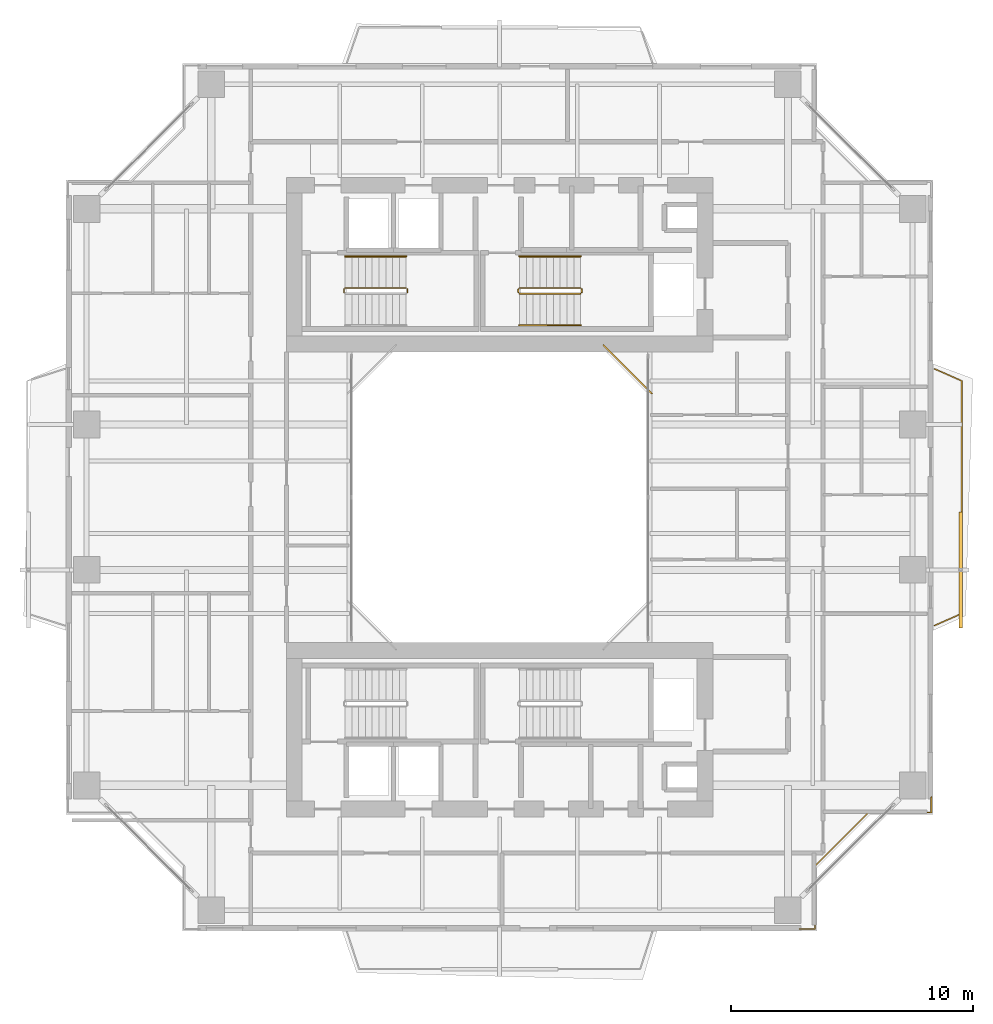
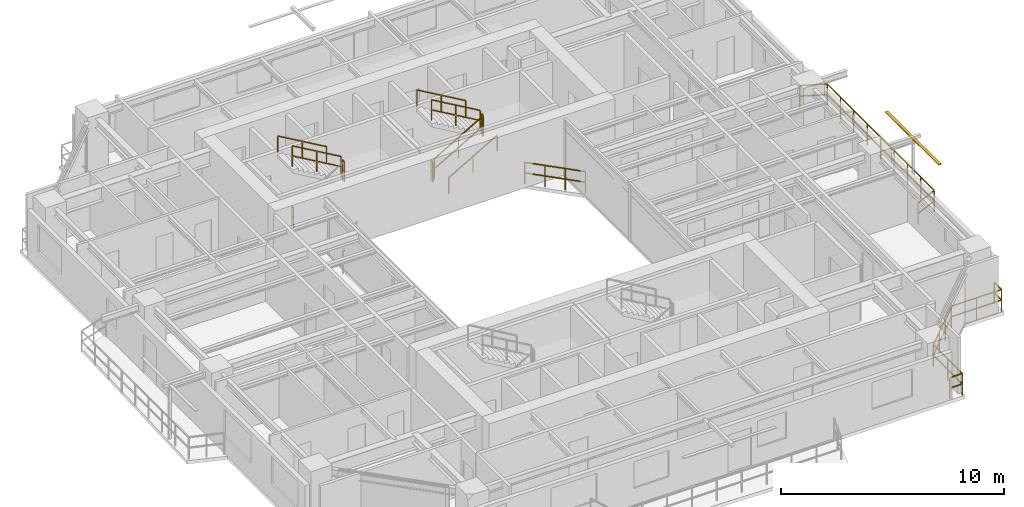
# One storey, part 16 of 17: 13 railings, 1 shading device.
"""IFC4 building model written with IfcOpenShell, lengths in metres."""

from ifc_helpers import new_model, si_unit, direction, frame, origin, origin_2d, place, context, subcontext, project, spatial, rectangle, extrude, source, transform, mapped, material, material_profile, profile_set, type_object, element, save


model = new_model("IFC4")

# Units and contexts
model_context = context("Model", 3, precision=1e-05, world=origin(), true_north=direction((0.0, 1.0)))
body_context = subcontext(model_context, "Body", "Model", "MODEL_VIEW")
ifc_project = project(units=[si_unit("LENGTHUNIT", "METRE"), si_unit("AREAUNIT", "SQUARE_METRE"), si_unit("VOLUMEUNIT", "CUBIC_METRE"), si_unit("PLANEANGLEUNIT", "RADIAN"), si_unit("MASSUNIT", "GRAM", prefix="KILO"), si_unit("THERMODYNAMICTEMPERATUREUNIT", "KELVIN"), si_unit("POWERUNIT", "WATT")], contexts=[model_context])

# Site, building, storey
site_placement = place(None, origin())
site = spatial("IfcSite", under=ifc_project, at=site_placement, CompositionType="ELEMENT")
building_placement = place(site_placement, origin())
building = spatial("IfcBuilding", under=site, at=building_placement, Name="Qiaomeng Ring Towers", CompositionType="ELEMENT")
storey_placement = place(building_placement, frame((0.0, 0.0, 129.5)))
storey = spatial("IfcBuildingStorey", under=building, at=storey_placement, Name="L37", CompositionType="ELEMENT", Elevation=129.5)

# Railings
ifc_material_1 = material(Name="Low-E pale-green laminated safety glass", Category="glass")
railing_type_1 = type_object("IfcRailingType", Name="ARC-RL-BAL1", PredefinedType="BALUSTRADE", material=ifc_material_1)
railing_1_placement = place(storey_placement, frame((25.280029296875, 27.280029296875, 0.0)))
element("IfcRailing", 1, at=railing_1_placement, inside=storey, type_object=railing_type_1, Name="L37 Balustrade ARC-BAL-WELL1-L37-2", PredefinedType="BALUSTRADE", context=body_context, shape_type="SweptSolid", body=[
    extrude(rectangle(XDim=0.048095703125, YDim=0.048095703125, at=origin_2d()), frame((0.0, 0.0, 1.17578125), z_axis=(-0.707106781187, 0.707106781187, 0.0), x_axis=(-0.707106781187, -0.707106781187, 0.0)), (0.0, 0.0, 1.0), 2.828369140625),
    extrude(rectangle(XDim=0.048095703125, YDim=0.048095703125, at=origin_2d()), frame((0.0, 0.0, 0.60009765625), z_axis=(-0.707106781187, 0.707106781187, 0.0), x_axis=(-0.707106781187, -0.707106781187, 0.0)), (0.0, 0.0, 1.0), 2.828369140625),
    extrude(rectangle(XDim=0.0419921875, YDim=0.0419921875, at=origin_2d()), origin(), (0.0, 0.0, 1.0), 1.15185546875),
    extrude(rectangle(XDim=0.0419921875, YDim=0.0419921875, at=origin_2d()), frame((-0.666748046875, 0.666748046875, 0.0)), (0.0, 0.0, 1.0), 1.15185546875),
    extrude(rectangle(XDim=0.0419921875, YDim=0.0419921875, at=origin_2d()), frame((-1.333251953125, 1.333251953125, 0.0)), (0.0, 0.0, 1.0), 1.15185546875),
    extrude(rectangle(XDim=0.0419921875, YDim=0.0419921875, at=origin_2d()), frame((-2.0, 2.0, 0.0)), (0.0, 0.0, 1.0), 1.15185546875),
])
railing_2_placement = place(storey_placement, frame((31.3701171875, 5.179931640625, 0.0)))
element("IfcRailing", 2, at=railing_2_placement, inside=storey, type_object=railing_type_1, Name="L37 Balustrade ARC-BAL-NOTCH1-L37-SE", PredefinedType="BALUSTRADE", context=body_context, shape_type="SweptSolid", body=[
    extrude(rectangle(XDim=0.048095703125, YDim=0.048095703125, at=origin_2d()), frame((0.0, 0.0, 1.17578125), z_axis=(1.0, 0.0, 0.0), x_axis=(0.0, 1.0, 0.0)), (0.0, 0.0, 1.0), 0.64990234375),
    extrude(rectangle(XDim=0.048095703125, YDim=0.048095703125, at=origin_2d()), frame((0.0, 0.0, 0.60009765625), z_axis=(1.0, 0.0, 0.0), x_axis=(0.0, 1.0, 0.0)), (0.0, 0.0, 1.0), 0.64990234375),
    extrude(rectangle(XDim=0.048095703125, YDim=0.048095703125, at=origin_2d()), frame((0.64990234375, 0.0, 1.17578125), z_axis=(0.0, 1.0, 0.0), x_axis=(-1.0, 0.0, 0.0)), (0.0, 0.0, 1.0), 2.60009765625),
    extrude(rectangle(XDim=0.048095703125, YDim=0.048095703125, at=origin_2d()), frame((0.64990234375, 0.0, 0.60009765625), z_axis=(0.0, 1.0, 0.0), x_axis=(-1.0, 0.0, 0.0)), (0.0, 0.0, 1.0), 2.60009765625),
    extrude(rectangle(XDim=0.048095703125, YDim=0.048095703125, at=origin_2d()), frame((0.64990234375, 2.60009765625, 1.17578125), z_axis=(0.707106781187, 0.707106781187, 0.0), x_axis=(-0.707106781187, 0.707106781187, 0.0)), (0.0, 0.0, 1.0), 3.111083984375),
    extrude(rectangle(XDim=0.048095703125, YDim=0.048095703125, at=origin_2d()), frame((0.64990234375, 2.60009765625, 0.60009765625), z_axis=(0.707106781187, 0.707106781187, 0.0), x_axis=(-0.707106781187, 0.707106781187, 0.0)), (0.0, 0.0, 1.0), 3.111083984375),
    extrude(rectangle(XDim=0.048095703125, YDim=0.048095703125, at=origin_2d()), frame((2.849853515625, 4.800048828125, 1.17578125), z_axis=(1.0, 0.0, 0.0), x_axis=(0.0, 1.0, 0.0)), (0.0, 0.0, 1.0), 2.60009765625),
    extrude(rectangle(XDim=0.048095703125, YDim=0.048095703125, at=origin_2d()), frame((2.849853515625, 4.800048828125, 0.60009765625), z_axis=(1.0, 0.0, 0.0), x_axis=(0.0, 1.0, 0.0)), (0.0, 0.0, 1.0), 2.60009765625),
    extrude(rectangle(XDim=0.048095703125, YDim=0.048095703125, at=origin_2d()), frame((5.449951171875, 4.800048828125, 1.17578125), z_axis=(0.0, 1.0, 0.0), x_axis=(-1.0, 0.0, 0.0)), (0.0, 0.0, 1.0), 0.64990234375),
    extrude(rectangle(XDim=0.048095703125, YDim=0.048095703125, at=origin_2d()), frame((5.449951171875, 4.800048828125, 0.60009765625), z_axis=(0.0, 1.0, 0.0), x_axis=(-1.0, 0.0, 0.0)), (0.0, 0.0, 1.0), 0.64990234375),
    extrude(rectangle(XDim=0.0419921875, YDim=0.0419921875, at=origin_2d()), origin(), (0.0, 0.0, 1.0), 1.15185546875),
    extrude(rectangle(XDim=0.0419921875, YDim=0.0419921875, at=origin_2d()), frame((0.64990234375, 0.0, 0.0)), (0.0, 0.0, 1.0), 1.15185546875),
    extrude(rectangle(XDim=0.0419921875, YDim=0.0419921875, at=origin_2d()), frame((0.64990234375, 1.300048828125, 0.0)), (0.0, 0.0, 1.0), 1.15185546875),
    extrude(rectangle(XDim=0.0419921875, YDim=0.0419921875, at=origin_2d()), frame((0.64990234375, 2.60009765625, 0.0)), (0.0, 0.0, 1.0), 1.15185546875),
    extrude(rectangle(XDim=0.0419921875, YDim=0.0419921875, at=origin_2d()), frame((1.38330078125, 3.33349609375, 0.0)), (0.0, 0.0, 1.0), 1.15185546875),
    extrude(rectangle(XDim=0.0419921875, YDim=0.0419921875, at=origin_2d()), frame((2.116455078125, 4.066650390625, 0.0)), (0.0, 0.0, 1.0), 1.15185546875),
    extrude(rectangle(XDim=0.0419921875, YDim=0.0419921875, at=origin_2d()), frame((2.849853515625, 4.800048828125, 0.0)), (0.0, 0.0, 1.0), 1.15185546875),
    extrude(rectangle(XDim=0.0419921875, YDim=0.0419921875, at=origin_2d()), frame((4.14990234375, 4.800048828125, 0.0)), (0.0, 0.0, 1.0), 1.15185546875),
    extrude(rectangle(XDim=0.0419921875, YDim=0.0419921875, at=origin_2d()), frame((5.449951171875, 4.800048828125, 0.0)), (0.0, 0.0, 1.0), 1.15185546875),
    extrude(rectangle(XDim=0.0419921875, YDim=0.0419921875, at=origin_2d()), frame((5.449951171875, 5.449951171875, 0.0)), (0.0, 0.0, 1.0), 1.15185546875),
])
railing_3_placement = place(storey_placement, frame((36.949951171875, 17.699951171875, 0.0)))
element("IfcRailing", 3, at=railing_3_placement, inside=storey, type_object=railing_type_1, Name="L37 Balustrade ARC-BAL-L37-T1-E", PredefinedType="BALUSTRADE", context=body_context, shape_type="SweptSolid", body=[
    extrude(rectangle(XDim=0.048095703125, YDim=0.048095703125, at=origin_2d()), frame((0.0, 0.0, 1.17578125), z_axis=(0.914494575002, 0.404598161504, 0.0), x_axis=(-0.404598161504, 0.914494575002, 0.0)), (0.0, 0.0, 1.0), 1.23583984375),
    extrude(rectangle(XDim=0.048095703125, YDim=0.048095703125, at=origin_2d()), frame((0.0, 0.0, 0.60009765625), z_axis=(0.914494575002, 0.404598161504, 0.0), x_axis=(-0.404598161504, 0.914494575002, 0.0)), (0.0, 0.0, 1.0), 1.23583984375),
    extrude(rectangle(XDim=0.048095703125, YDim=0.048095703125, at=origin_2d()), frame((1.130126953125, 0.5, 1.17578125), z_axis=(0.0, 1.0, 0.0), x_axis=(-1.0, 0.0, 0.0)), (0.0, 0.0, 1.0), 9.60009765625),
    extrude(rectangle(XDim=0.048095703125, YDim=0.048095703125, at=origin_2d()), frame((1.130126953125, 0.5, 0.60009765625), z_axis=(0.0, 1.0, 0.0), x_axis=(-1.0, 0.0, 0.0)), (0.0, 0.0, 1.0), 9.60009765625),
    extrude(rectangle(XDim=0.048095703125, YDim=0.048095703125, at=origin_2d()), frame((1.130126953125, 10.10009765625, 1.17578125), z_axis=(-0.914494575002, 0.404598161504, 0.0), x_axis=(-0.404598161504, -0.914494575002, 0.0)), (0.0, 0.0, 1.0), 1.23583984375),
    extrude(rectangle(XDim=0.048095703125, YDim=0.048095703125, at=origin_2d()), frame((1.130126953125, 10.10009765625, 0.60009765625), z_axis=(-0.914494575002, 0.404598161504, 0.0), x_axis=(-0.404598161504, -0.914494575002, 0.0)), (0.0, 0.0, 1.0), 1.23583984375),
    extrude(rectangle(XDim=0.0419921875, YDim=0.0419921875, at=origin_2d()), origin(), (0.0, 0.0, 1.0), 1.15185546875),
    extrude(rectangle(XDim=0.0419921875, YDim=0.0419921875, at=origin_2d()), frame((1.130126953125, 0.5, 0.0)), (0.0, 0.0, 1.0), 1.15185546875),
    extrude(rectangle(XDim=0.0419921875, YDim=0.0419921875, at=origin_2d()), frame((1.130126953125, 1.699951171875, 0.0)), (0.0, 0.0, 1.0), 1.15185546875),
    extrude(rectangle(XDim=0.0419921875, YDim=0.0419921875, at=origin_2d()), frame((1.130126953125, 2.89990234375, 0.0)), (0.0, 0.0, 1.0), 1.15185546875),
    extrude(rectangle(XDim=0.0419921875, YDim=0.0419921875, at=origin_2d()), frame((1.130126953125, 4.10009765625, 0.0)), (0.0, 0.0, 1.0), 1.15185546875),
    extrude(rectangle(XDim=0.0419921875, YDim=0.0419921875, at=origin_2d()), frame((1.130126953125, 5.300048828125, 0.0)), (0.0, 0.0, 1.0), 1.15185546875),
    extrude(rectangle(XDim=0.0419921875, YDim=0.0419921875, at=origin_2d()), frame((1.130126953125, 6.5, 0.0)), (0.0, 0.0, 1.0), 1.15185546875),
    extrude(rectangle(XDim=0.0419921875, YDim=0.0419921875, at=origin_2d()), frame((1.130126953125, 7.7001953125, 0.0)), (0.0, 0.0, 1.0), 1.15185546875),
    extrude(rectangle(XDim=0.0419921875, YDim=0.0419921875, at=origin_2d()), frame((1.130126953125, 8.900146484375, 0.0)), (0.0, 0.0, 1.0), 1.15185546875),
    extrude(rectangle(XDim=0.0419921875, YDim=0.0419921875, at=origin_2d()), frame((1.130126953125, 10.10009765625, 0.0)), (0.0, 0.0, 1.0), 1.15185546875),
    extrude(rectangle(XDim=0.0419921875, YDim=0.0419921875, at=origin_2d()), frame((0.0, 10.60009765625, 0.0)), (0.0, 0.0, 1.0), 1.15185546875),
])
ifc_material_2 = material(Name="Galvanised steel", Category="steel")
railing_type_2 = type_object("IfcRailingType", Name="ARC-RL-GUARD", PredefinedType="GUARDRAIL", material=ifc_material_2)
railing_4_placement = place(storey_placement, frame((15.18994140625, 31.449951171875, 1.625)))
element("IfcRailing", 4, at=railing_4_placement, inside=storey, type_object=railing_type_2, Name="L37 ST1 stair guard 2", PredefinedType="GUARDRAIL", context=body_context, shape_type="SweptSolid", body=[
    extrude(rectangle(XDim=0.048095703125, YDim=0.048095703125, at=origin_2d()), frame((0.0, 0.0, 1.1259765625), z_axis=(0.0, 1.0, 0.0), x_axis=(-1.0, 0.0, 0.0)), (0.0, 0.0, 1.0), 0.14013671875),
    extrude(rectangle(XDim=0.048095703125, YDim=0.048095703125, at=origin_2d()), frame((0.0, 0.0, 0.574951171875), z_axis=(0.0, 1.0, 0.0), x_axis=(-1.0, 0.0, 0.0)), (0.0, 0.0, 1.0), 0.14013671875),
    extrude(rectangle(XDim=0.0419921875, YDim=0.0419921875, at=origin_2d()), origin(), (0.0, 0.0, 1.0), 1.101806640625),
    extrude(rectangle(XDim=0.0419921875, YDim=0.0419921875, at=origin_2d()), frame((0.0, 0.14013671875, 0.0)), (0.0, 0.0, 1.0), 1.101806640625),
])
railing_5_placement = place(storey_placement, frame((15.139892578125, 31.639892578125, 1.78759765625)))
element("IfcRailing", 5, at=railing_5_placement, inside=storey, type_object=railing_type_2, Name="L37 ST1 stair guard 3", PredefinedType="GUARDRAIL", context=body_context, shape_type="SweptSolid", body=[
    extrude(rectangle(XDim=0.048095703125, YDim=0.048095703125, at=origin_2d()), frame((0.0, 0.0, 1.1259765625), z_axis=(-0.864892226395, 0.0, 0.501957604506), x_axis=(0.0, -1.0, 0.0)), (0.0, 0.0, 1.0), 2.913330078125),
    extrude(rectangle(XDim=0.048095703125, YDim=0.048095703125, at=origin_2d()), frame((0.0, 0.0, 0.574951171875), z_axis=(-0.864892226395, 0.0, 0.501957604506), x_axis=(0.0, -1.0, 0.0)), (0.0, 0.0, 1.0), 2.913330078125),
    extrude(rectangle(XDim=0.0419921875, YDim=0.0419921875, at=origin_2d()), origin(), (0.0, 0.0, 1.0), 1.101806640625),
    extrude(rectangle(XDim=0.0419921875, YDim=0.0419921875, at=origin_2d()), frame((-1.259765625, 0.0, 0.731201171875)), (0.0, 0.0, 1.0), 1.101806640625),
    extrude(rectangle(XDim=0.0419921875, YDim=0.0419921875, at=origin_2d()), frame((-2.519775390625, 0.0, 1.46240234375)), (0.0, 0.0, 1.0), 1.101806640625),
])
railing_6_placement = place(storey_placement, frame((12.570068359375, 31.449951171875, 0.0)))
element("IfcRailing", 6, at=railing_6_placement, inside=storey, type_object=railing_type_2, Name="L37 ST1 stair guard 4", PredefinedType="GUARDRAIL", context=body_context, shape_type="SweptSolid", body=[
    extrude(rectangle(XDim=0.048095703125, YDim=0.048095703125, at=origin_2d()), frame((0.0, 0.0, 1.1259765625), z_axis=(0.0, 1.0, 0.0), x_axis=(-1.0, 0.0, 0.0)), (0.0, 0.0, 1.0), 0.14013671875),
    extrude(rectangle(XDim=0.048095703125, YDim=0.048095703125, at=origin_2d()), frame((0.0, 0.0, 0.574951171875), z_axis=(0.0, 1.0, 0.0), x_axis=(-1.0, 0.0, 0.0)), (0.0, 0.0, 1.0), 0.14013671875),
    extrude(rectangle(XDim=0.0419921875, YDim=0.0419921875, at=origin_2d()), origin(), (0.0, 0.0, 1.0), 1.101806640625),
    extrude(rectangle(XDim=0.0419921875, YDim=0.0419921875, at=origin_2d()), frame((0.0, 0.14013671875, 0.0)), (0.0, 0.0, 1.0), 1.101806640625),
])
railing_7_placement = place(storey_placement, frame((19.820068359375, 31.39990234375, 0.16259765625)))
element("IfcRailing", 7, at=railing_7_placement, inside=storey, type_object=railing_type_2, Name="L37 ST2 stair guard 1", PredefinedType="GUARDRAIL", context=body_context, shape_type="SweptSolid", body=[
    extrude(rectangle(XDim=0.048095703125, YDim=0.048095703125, at=origin_2d()), frame((0.0, 0.0, 1.1259765625), z_axis=(0.864913338283, 0.0, 0.50192122615), x_axis=(0.0, 1.0, 0.0)), (0.0, 0.0, 1.0), 2.91357421875),
    extrude(rectangle(XDim=0.048095703125, YDim=0.048095703125, at=origin_2d()), frame((0.0, 0.0, 0.574951171875), z_axis=(0.864913338283, 0.0, 0.50192122615), x_axis=(0.0, 1.0, 0.0)), (0.0, 0.0, 1.0), 2.91357421875),
    extrude(rectangle(XDim=0.0419921875, YDim=0.0419921875, at=origin_2d()), origin(), (0.0, 0.0, 1.0), 1.101806640625),
    extrude(rectangle(XDim=0.0419921875, YDim=0.0419921875, at=origin_2d()), frame((1.260009765625, 0.0, 0.731201171875)), (0.0, 0.0, 1.0), 1.101806640625),
    extrude(rectangle(XDim=0.0419921875, YDim=0.0419921875, at=origin_2d()), frame((2.52001953125, 0.0, 1.46240234375)), (0.0, 0.0, 1.0), 1.101806640625),
])
railing_8_placement = place(storey_placement, frame((22.389892578125, 31.449951171875, 1.625)))
element("IfcRailing", 8, at=railing_8_placement, inside=storey, type_object=railing_type_2, Name="L37 ST2 stair guard 2", PredefinedType="GUARDRAIL", context=body_context, shape_type="SweptSolid", body=[
    extrude(rectangle(XDim=0.048095703125, YDim=0.048095703125, at=origin_2d()), frame((0.0, 0.0, 1.1259765625), z_axis=(0.0, 1.0, 0.0), x_axis=(-1.0, 0.0, 0.0)), (0.0, 0.0, 1.0), 0.14013671875),
    extrude(rectangle(XDim=0.048095703125, YDim=0.048095703125, at=origin_2d()), frame((0.0, 0.0, 0.574951171875), z_axis=(0.0, 1.0, 0.0), x_axis=(-1.0, 0.0, 0.0)), (0.0, 0.0, 1.0), 0.14013671875),
    extrude(rectangle(XDim=0.0419921875, YDim=0.0419921875, at=origin_2d()), origin(), (0.0, 0.0, 1.0), 1.101806640625),
    extrude(rectangle(XDim=0.0419921875, YDim=0.0419921875, at=origin_2d()), frame((0.0, 0.14013671875, 0.0)), (0.0, 0.0, 1.0), 1.101806640625),
])
railing_9_placement = place(storey_placement, frame((22.340087890625, 31.639892578125, 1.78759765625)))
element("IfcRailing", 9, at=railing_9_placement, inside=storey, type_object=railing_type_2, Name="L37 ST2 stair guard 3", PredefinedType="GUARDRAIL", context=body_context, shape_type="SweptSolid", body=[
    extrude(rectangle(XDim=0.048095703125, YDim=0.048095703125, at=origin_2d()), frame((0.0, 0.0, 1.1259765625), z_axis=(-0.864913338283, 0.0, 0.50192122615), x_axis=(0.0, -1.0, 0.0)), (0.0, 0.0, 1.0), 2.91357421875),
    extrude(rectangle(XDim=0.048095703125, YDim=0.048095703125, at=origin_2d()), frame((0.0, 0.0, 0.574951171875), z_axis=(-0.864913338283, 0.0, 0.50192122615), x_axis=(0.0, -1.0, 0.0)), (0.0, 0.0, 1.0), 2.91357421875),
    extrude(rectangle(XDim=0.0419921875, YDim=0.0419921875, at=origin_2d()), origin(), (0.0, 0.0, 1.0), 1.101806640625),
    extrude(rectangle(XDim=0.0419921875, YDim=0.0419921875, at=origin_2d()), frame((-1.260009765625, 0.0, 0.731201171875)), (0.0, 0.0, 1.0), 1.101806640625),
    extrude(rectangle(XDim=0.0419921875, YDim=0.0419921875, at=origin_2d()), frame((-2.52001953125, 0.0, 1.46240234375)), (0.0, 0.0, 1.0), 1.101806640625),
])
railing_10_placement = place(storey_placement, frame((19.77001953125, 31.449951171875, 0.0)))
element("IfcRailing", 10, at=railing_10_placement, inside=storey, type_object=railing_type_2, Name="L37 ST2 stair guard 4", PredefinedType="GUARDRAIL", context=body_context, shape_type="SweptSolid", body=[
    extrude(rectangle(XDim=0.048095703125, YDim=0.048095703125, at=origin_2d()), frame((0.0, 0.0, 1.1259765625), z_axis=(0.0, 1.0, 0.0), x_axis=(-1.0, 0.0, 0.0)), (0.0, 0.0, 1.0), 0.14013671875),
    extrude(rectangle(XDim=0.048095703125, YDim=0.048095703125, at=origin_2d()), frame((0.0, 0.0, 0.574951171875), z_axis=(0.0, 1.0, 0.0), x_axis=(-1.0, 0.0, 0.0)), (0.0, 0.0, 1.0), 0.14013671875),
    extrude(rectangle(XDim=0.0419921875, YDim=0.0419921875, at=origin_2d()), origin(), (0.0, 0.0, 1.0), 1.101806640625),
    extrude(rectangle(XDim=0.0419921875, YDim=0.0419921875, at=origin_2d()), frame((0.0, 0.14013671875, 0.0)), (0.0, 0.0, 1.0), 1.101806640625),
])
ifc_material_3 = material(Name="Stainless steel 316", Category="steel")
railing_type_3 = type_object("IfcRailingType", Name="ARC-RL-HAND", PredefinedType="HANDRAIL", material=ifc_material_3)
railing_11_placement = place(storey_placement, frame((15.139892578125, 32.93994140625, 1.78759765625)))
element("IfcRailing", 11, at=railing_11_placement, inside=storey, type_object=railing_type_3, Name="L37 ST1 stair handrail 2", PredefinedType="HANDRAIL", context=body_context, shape_type="SweptSolid", body=[
    extrude(rectangle(XDim=0.048095703125, YDim=0.048095703125, at=origin_2d()), frame((0.0, 0.0, 0.8759765625), z_axis=(-0.864892226395, 0.0, 0.501957604506), x_axis=(0.0, -1.0, 0.0)), (0.0, 0.0, 1.0), 2.913330078125),
    extrude(rectangle(XDim=0.0419921875, YDim=0.0419921875, at=origin_2d()), origin(), (0.0, 0.0, 1.0), 0.851806640625),
    extrude(rectangle(XDim=0.0419921875, YDim=0.0419921875, at=origin_2d()), frame((-1.259765625, 0.0, 0.731201171875)), (0.0, 0.0, 1.0), 0.851806640625),
    extrude(rectangle(XDim=0.0419921875, YDim=0.0419921875, at=origin_2d()), frame((-2.519775390625, 0.0, 1.46240234375)), (0.0, 0.0, 1.0), 0.851806640625),
])
railing_12_placement = place(storey_placement, frame((19.820068359375, 30.10009765625, 0.16259765625)))
element("IfcRailing", 12, at=railing_12_placement, inside=storey, type_object=railing_type_3, Name="L37 ST2 stair handrail 1", PredefinedType="HANDRAIL", context=body_context, shape_type="SweptSolid", body=[
    extrude(rectangle(XDim=0.048095703125, YDim=0.048095703125, at=origin_2d()), frame((0.0, 0.0, 0.8759765625), z_axis=(0.864913338283, 0.0, 0.50192122615), x_axis=(0.0, 1.0, 0.0)), (0.0, 0.0, 1.0), 2.91357421875),
    extrude(rectangle(XDim=0.0419921875, YDim=0.0419921875, at=origin_2d()), origin(), (0.0, 0.0, 1.0), 0.851806640625),
    extrude(rectangle(XDim=0.0419921875, YDim=0.0419921875, at=origin_2d()), frame((1.260009765625, 0.0, 0.731201171875)), (0.0, 0.0, 1.0), 0.851806640625),
    extrude(rectangle(XDim=0.0419921875, YDim=0.0419921875, at=origin_2d()), frame((2.52001953125, 0.0, 1.46240234375)), (0.0, 0.0, 1.0), 0.851806640625),
])
railing_13_placement = place(storey_placement, frame((22.340087890625, 32.93994140625, 1.78759765625)))
element("IfcRailing", 13, at=railing_13_placement, inside=storey, type_object=railing_type_3, Name="L37 ST2 stair handrail 2", PredefinedType="HANDRAIL", context=body_context, shape_type="SweptSolid", body=[
    extrude(rectangle(XDim=0.048095703125, YDim=0.048095703125, at=origin_2d()), frame((0.0, 0.0, 0.8759765625), z_axis=(-0.864913338283, 0.0, 0.50192122615), x_axis=(0.0, -1.0, 0.0)), (0.0, 0.0, 1.0), 2.91357421875),
    extrude(rectangle(XDim=0.0419921875, YDim=0.0419921875, at=origin_2d()), origin(), (0.0, 0.0, 1.0), 0.851806640625),
    extrude(rectangle(XDim=0.0419921875, YDim=0.0419921875, at=origin_2d()), frame((-1.260009765625, 0.0, 0.731201171875)), (0.0, 0.0, 1.0), 0.851806640625),
    extrude(rectangle(XDim=0.0419921875, YDim=0.0419921875, at=origin_2d()), frame((-2.52001953125, 0.0, 1.46240234375)), (0.0, 0.0, 1.0), 0.851806640625),
])

# Shading device
ifc_material_4 = material(Name="Fluorocarbon dark-grey aluminium", Category="aluminium")
ifc_material_profile = material_profile(ifc_material_4, rectangle(XDim=0.14990234375, YDim=0.034912109375, at=origin_2d()), Name="LV BLADE 150x35")
ifc_profile_set = profile_set([ifc_material_profile], Name="Fluorocarbon dark-grey aluminium")
shading_device_type = type_object("IfcShadingDeviceType", Name="ARC-SHD-SUN", PredefinedType="AWNING", material=ifc_profile_set)
shared_shape = source(origin(), body_context, "Body", "SweptSolid", [
    extrude(rectangle(XDim=0.14990234375, YDim=0.034912109375, at=origin_2d()), origin(), (0.0, 0.0, 1.0), 4.7998046875),
])
shading_device_placement = place(storey_placement, frame((38.030029296875, 17.60009765625, 2.969970703125), z_axis=(0.0, 1.0, 0.0), x_axis=(-1.0, 0.0, 0.0)))
element("IfcShadingDevice", 14, at=shading_device_placement, inside=storey, type_object=shading_device_type, Name="L37 Ventilated Outer-Skin Sunshade E", PredefinedType="AWNING", context=body_context, shape_type="MappedRepresentation", body=[
    mapped(shared_shape, transform((0.0, 0.0, 0.0), x_axis=(1.0, 0.0, 0.0), y_axis=(0.0, 1.0, 0.0), z_axis=(0.0, 0.0, 1.0), scale=1.0)),
])

save(model, "model.ifc")
